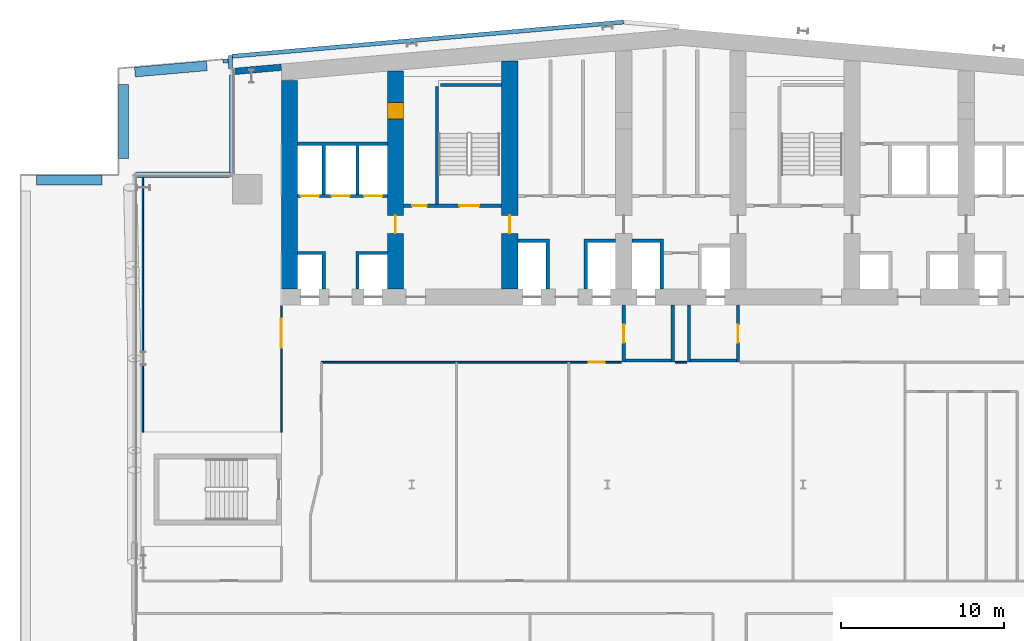
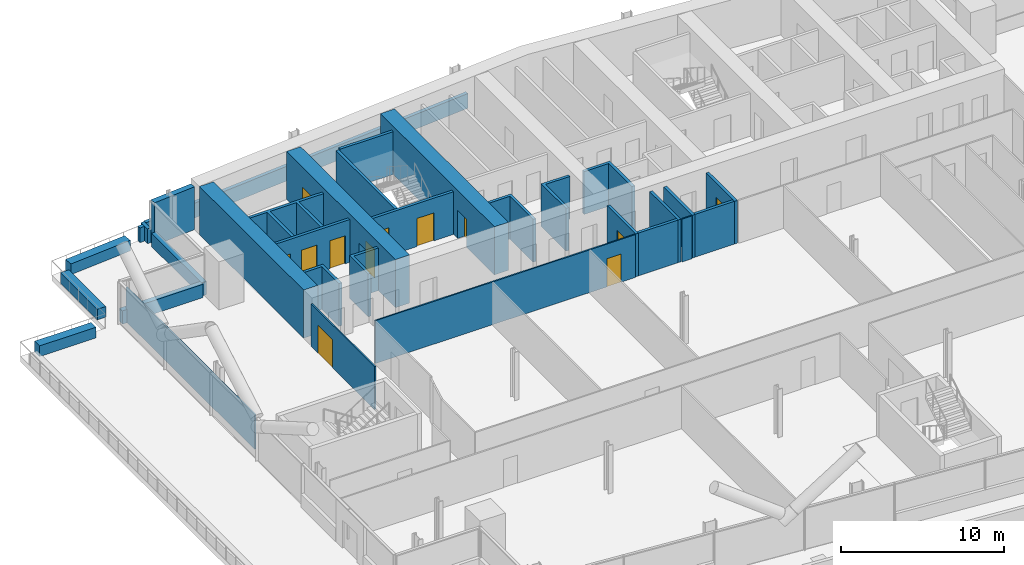
# One storey, part 14 of 26: 32 walls, 12 doors, 12 openings.
"""IFC4 building model written with IfcOpenShell, lengths in metres."""

from ifc_helpers import new_model, si_unit, direction, frame, frame_2d, origin, place, context, subcontext, project, spatial, polyline, rectangle, outline, extrude, material, layer, layer_set, type_object, element, fill, save


model = new_model("IFC4")

# Units and contexts
model_context = context("Model", 3, precision=1e-05, world=origin(), true_north=direction((0.0, 1.0)))
body_context = subcontext(model_context, "Body", "Model", "MODEL_VIEW")
ifc_project = project(units=[si_unit("LENGTHUNIT", "METRE"), si_unit("AREAUNIT", "SQUARE_METRE"), si_unit("VOLUMEUNIT", "CUBIC_METRE"), si_unit("PLANEANGLEUNIT", "RADIAN"), si_unit("MASSUNIT", "GRAM", prefix="KILO")], contexts=[model_context])

# Site, building, storey
site_placement = place(None, origin())
site = spatial("IfcSite", under=ifc_project, at=site_placement, CompositionType="ELEMENT")
building_placement = place(site_placement, origin())
building = spatial("IfcBuilding", under=site, at=building_placement, Name="Wharfspan Tower", CompositionType="ELEMENT")
storey_placement = place(building_placement, frame((0.0, 0.0, 96.699951)))
storey = spatial("IfcBuildingStorey", under=building, at=storey_placement, Name="L21", CompositionType="ELEMENT", Elevation=96.699951)

# Wall, opening, door
ifc_material_1 = material(Name="Gypsum board on steel studs", Category="steel")
ifc_layer_1 = layer(ifc_material_1, 0.100098)
ifc_layer_set_1 = layer_set([ifc_layer_1], Name="Gypsum board on steel studs")
wall_type_1 = type_object("IfcWallType", Name="Compartment wall 100 EI 60", PredefinedType="PARTITIONING", material=ifc_layer_set_1)
wall_1_placement = place(storey_placement, frame((16.0, 26.219971, 0.0), z_axis=(0.0, 0.0, 1.0), x_axis=(0.0, 1.0, 0.0)))
wall_1 = element("IfcWall", 1, at=wall_1_placement, inside=storey, type_object=wall_type_1, Name="Partition L21.w006", PredefinedType="PARTITIONING", context=body_context, shape_type="SweptSolid", body=[
    extrude(rectangle(XDim=7.76001, YDim=0.100098, at=frame_2d((3.879883, 0.0))), origin(), (0.0, 0.0, 1.0), 3.199951),
])
opening_1_placement = place(wall_1_placement, frame((5.159912, 0.0, 0.0)))
opening_1 = element("IfcOpeningElement", 2, at=opening_1_placement, cuts=wall_1, Name="Opening B1-18", PredefinedType="OPENING", context=body_context, shape_type="SweptSolid", body=[
    extrude(rectangle(XDim=1.800049, YDim=2.100098, at=frame_2d((0.899902, 1.050049))), frame((0.0, 0.060059, 0.0), z_axis=(0.0, -1.0, 0.0), x_axis=(1.0, 0.0, 0.0)), (0.0, 0.0, 1.0), 0.120117),
])
ifc_material_2 = material(Name="Fire-rated timber door leaf in steel frame", Category="steel")
door_type_1 = type_object("IfcDoorType", Name="Door 1800 FD30S Double", OperationType="DOUBLE_DOOR_SINGLE_SWING", PredefinedType="DOOR", material=ifc_material_2)
door_1_placement = place(opening_1_placement, origin())
door_1 = element("IfcDoor", 3, at=door_1_placement, inside=storey, type_object=door_type_1, Name="Door B1-18", OperationType="DOUBLE_DOOR_SINGLE_SWING", OverallHeight=2.100098, OverallWidth=1.800049, PredefinedType="DOOR", context=body_context, shape_type="SweptSolid", body=[
    extrude(rectangle(XDim=1.800049, YDim=2.100098, at=frame_2d((0.899902, 1.050049))), frame((0.0, 0.024902, 0.0), z_axis=(0.0, -1.0, 0.0), x_axis=(1.0, 0.0, 0.0)), (0.0, 0.0, 1.0), 0.050049),
])
fill(opening_1, door_1)

wall_2_placement = place(storey_placement, frame((18.455078, 30.5, 0.0), z_axis=(0.0, 0.0, 1.0), x_axis=(1.0, 0.0, 0.0)))
wall_2 = element("IfcWall", 4, at=wall_2_placement, inside=storey, type_object=wall_type_1, Name="Partition L21.w013", PredefinedType="PARTITIONING", context=body_context, shape_type="SweptSolid", body=[
    extrude(rectangle(XDim=18.39502, YDim=0.100098, at=frame_2d((9.19751, 0.0))), origin(), (0.0, 0.0, 1.0), 3.199951),
])
opening_2_placement = place(wall_2_placement, frame((16.389893, 0.0, 0.0)))
opening_2 = element("IfcOpeningElement", 5, at=opening_2_placement, cuts=wall_2, Name="Opening B1-15", PredefinedType="OPENING", context=body_context, shape_type="SweptSolid", body=[
    extrude(rectangle(XDim=1.0, YDim=2.100098, at=frame_2d((0.5, 1.050049))), frame((0.0, 0.060059, 0.0), z_axis=(0.0, -1.0, 0.0), x_axis=(1.0, 0.0, 0.0)), (0.0, 0.0, 1.0), 0.120117),
])
door_type_2 = type_object("IfcDoorType", Name="Door 1000 FD30S Left", OperationType="SINGLE_SWING_LEFT", PredefinedType="DOOR", material=ifc_material_2)
door_2_placement = place(opening_2_placement, origin())
door_2 = element("IfcDoor", 6, at=door_2_placement, inside=storey, type_object=door_type_2, Name="Door B1-15", OperationType="SINGLE_SWING_LEFT", OverallHeight=2.100098, OverallWidth=1.0, PredefinedType="DOOR", context=body_context, shape_type="SweptSolid", body=[
    extrude(rectangle(XDim=1.0, YDim=2.100098, at=frame_2d((0.5, 1.050049))), frame((0.0, 0.024902, 0.0), z_axis=(0.0, -1.0, 0.0), x_axis=(1.0, 0.0, 0.0)), (0.0, 0.0, 1.0), 0.050049),
])
fill(opening_2, door_2)

# Walls
wall_3_placement = place(storey_placement, frame((40.149902, 30.5, 0.0), z_axis=(0.0, 0.0, 1.0), x_axis=(1.0, 0.0, 0.0)))
element("IfcWall", 7, at=wall_3_placement, inside=storey, type_object=wall_type_1, Name="Partition L21.w013 (2)", PredefinedType="PARTITIONING", context=body_context, shape_type="SweptSolid", body=[
    extrude(rectangle(XDim=0.700195, YDim=0.100098, at=frame_2d((0.350098, 0.0))), origin(), (0.0, 0.0, 1.0), 3.199951),
])
ifc_material_3 = material(Name="Concrete C70/85", Category="concrete")
ifc_layer_2 = layer(ifc_material_3, 1.0)
ifc_layer_set_2 = layer_set([ifc_layer_2], Name="Concrete C70/85")
wall_type_2 = type_object("IfcWallType", Name="Core wall 1000 C70/85", PredefinedType="SHEAR", material=ifc_layer_set_2)
wall_4_placement = place(storey_placement, frame((16.5, 35.0, 0.0), z_axis=(0.0, 0.0, 1.0), x_axis=(0.0, 1.0, 0.0)))
element("IfcWall", 8, at=wall_4_placement, inside=storey, type_object=wall_type_2, Name="Core cross wall EW0 L21", PredefinedType="SHEAR", context=body_context, shape_type="SweptSolid", body=[
    extrude(rectangle(XDim=12.783691, YDim=1.0, at=frame_2d((6.391846, 0.0))), origin(), (0.0, 0.0, 1.0), 3.600098),
])

# Wall, openings, doors
wall_5_placement = place(storey_placement, frame((23.0, 35.0, 0.0), z_axis=(0.0, 0.0, 1.0), x_axis=(0.0, 1.0, 0.0)))
wall_5 = element("IfcWall", 9, at=wall_5_placement, inside=storey, type_object=wall_type_2, Name="Core cross wall X2 L21", PredefinedType="SHEAR", context=body_context, shape_type="SweptSolid", body=[
    extrude(rectangle(XDim=13.352295, YDim=1.0, at=frame_2d((6.67627, 0.0))), origin(), (0.0, 0.0, 1.0), 3.600098),
])
opening_3_placement = place(wall_5_placement, frame((10.425537, 0.0, 0.0)))
opening_3 = element("IfcOpeningElement", 10, at=opening_3_placement, cuts=wall_5, Name="Opening CD21.1X", PredefinedType="OPENING", context=body_context, shape_type="SweptSolid", body=[
    extrude(rectangle(XDim=1.0, YDim=2.100098, at=frame_2d((0.5, 1.050049))), frame((0.0, 0.51001, 0.0), z_axis=(0.0, -1.0, 0.0), x_axis=(1.0, 0.0, 0.0)), (0.0, 0.0, 1.0), 1.02002),
])
opening_4_placement = place(wall_5_placement, frame((3.399902, 0.0, 0.0)))
opening_4 = element("IfcOpeningElement", 11, at=opening_4_placement, cuts=wall_5, Name="Opening CC21.2", PredefinedType="OPENING", context=body_context, shape_type="SweptSolid", body=[
    extrude(rectangle(XDim=1.100098, YDim=2.100098, at=frame_2d((0.550049, 1.050049))), frame((0.0, 0.51001, 0.0), z_axis=(0.0, -1.0, 0.0), x_axis=(1.0, 0.0, 0.0)), (0.0, 0.0, 1.0), 1.02002),
])
ifc_material_4 = material(Name="Steel door leaf", Category="steel")
door_type_3 = type_object("IfcDoorType", Name="Core corridor door 1100x2100", OperationType="SINGLE_SWING_LEFT", PredefinedType="DOOR", material=ifc_material_4)
door_3_placement = place(opening_4_placement, origin())
door_3 = element("IfcDoor", 12, at=door_3_placement, inside=storey, type_object=door_type_3, Name="xd:L21:2", OperationType="SINGLE_SWING_RIGHT", OverallHeight=2.100098, OverallWidth=1.100098, PredefinedType="DOOR", context=body_context, shape_type="SweptSolid", body=[
    extrude(rectangle(XDim=1.100098, YDim=2.100098, at=frame_2d((0.550049, 1.050049))), frame((0.0, 0.024902, 0.0), z_axis=(0.0, -1.0, 0.0), x_axis=(1.0, 0.0, 0.0)), (0.0, 0.0, 1.0), 0.050049),
])
fill(opening_4, door_3)
door_type_4 = type_object("IfcDoorType", Name="Core room door 1000x2100", OperationType="SINGLE_SWING_LEFT", PredefinedType="DOOR", material=ifc_material_4)
door_4_placement = place(opening_3_placement, origin())
door_4 = element("IfcDoor", 13, at=door_4_placement, inside=storey, type_object=door_type_4, Name="d:L21:1:sx", OperationType="SINGLE_SWING_LEFT", OverallHeight=2.100098, OverallWidth=1.0, PredefinedType="DOOR", context=body_context, shape_type="SweptSolid", body=[
    extrude(rectangle(XDim=1.0, YDim=2.100098, at=frame_2d((0.5, 1.050049))), frame((0.0, 0.499756, 0.0), z_axis=(0.0, -1.0, 0.0), x_axis=(1.0, 0.0, 0.0)), (0.0, 0.0, 1.0), 0.999512),
])
fill(opening_3, door_4)

# Wall, opening, door
wall_6_placement = place(storey_placement, frame((30.0, 35.0, 0.0), z_axis=(0.0, 0.0, 1.0), x_axis=(0.0, 1.0, 0.0)))
wall_6 = element("IfcWall", 14, at=wall_6_placement, inside=storey, type_object=wall_type_2, Name="Core cross wall X3 L21", PredefinedType="SHEAR", context=body_context, shape_type="SweptSolid", body=[
    extrude(rectangle(XDim=13.9646, YDim=1.0, at=frame_2d((6.982422, 0.0))), origin(), (0.0, 0.0, 1.0), 3.600098),
])
opening_5_placement = place(wall_6_placement, frame((3.399902, 0.0, 0.0)))
opening_5 = element("IfcOpeningElement", 15, at=opening_5_placement, cuts=wall_6, Name="Opening CC21.3", PredefinedType="OPENING", context=body_context, shape_type="SweptSolid", body=[
    extrude(rectangle(XDim=1.100098, YDim=2.100098, at=frame_2d((0.550049, 1.050049))), frame((0.0, 0.51001, 0.0), z_axis=(0.0, -1.0, 0.0), x_axis=(1.0, 0.0, 0.0)), (0.0, 0.0, 1.0), 1.02002),
])
door_5_placement = place(opening_5_placement, origin())
door_5 = element("IfcDoor", 16, at=door_5_placement, inside=storey, type_object=door_type_3, Name="xd:L21:3", OperationType="SINGLE_SWING_LEFT", OverallHeight=2.100098, OverallWidth=1.100098, PredefinedType="DOOR", context=body_context, shape_type="SweptSolid", body=[
    extrude(rectangle(XDim=1.100098, YDim=2.100098, at=frame_2d((0.550049, 1.050049))), frame((0.0, 0.024902, 0.0), z_axis=(0.0, -1.0, 0.0), x_axis=(1.0, 0.0, 0.0)), (0.0, 0.0, 1.0), 0.050049),
])
fill(opening_5, door_5)

# Wall, openings, doors
ifc_material_5 = material(Name="Concrete C30/37", Category="concrete")
ifc_layer_3 = layer(ifc_material_5, 0.199951)
ifc_layer_set_3 = layer_set([ifc_layer_3], Name="Concrete C30/37")
wall_type_3 = type_object("IfcWallType", Name="Lift shaft wall 200", PredefinedType="PARTITIONING", material=ifc_layer_set_3)
wall_7_placement = place(storey_placement, frame((17.0, 40.699951, 0.0), z_axis=(0.0, 0.0, 1.0), x_axis=(1.0, 0.0, 0.0)))
wall_7 = element("IfcWall", 17, at=wall_7_placement, inside=storey, type_object=wall_type_3, Name="sw:L21:RF1", PredefinedType="PARTITIONING", context=body_context, shape_type="SweptSolid", body=[
    extrude(rectangle(XDim=5.5, YDim=0.199951, at=frame_2d((2.75, 0.0))), origin(), (0.0, 0.0, 1.0), 3.199951),
])
opening_6_placement = place(wall_7_placement, frame((0.199951, 0.0, 0.0)))
opening_6 = element("IfcOpeningElement", 18, at=opening_6_placement, cuts=wall_7, Name="Opening LD.LA3.L21", PredefinedType="OPENING", context=body_context, shape_type="SweptSolid", body=[
    extrude(rectangle(XDim=1.100098, YDim=2.100098, at=frame_2d((0.550049, 1.050049))), frame((0.0, 0.109863, 0.0), z_axis=(0.0, -1.0, 0.0), x_axis=(1.0, 0.0, 0.0)), (0.0, 0.0, 1.0), 0.219971),
])
opening_7_placement = place(wall_7_placement, frame((2.083252, 0.0, 0.0)))
opening_7 = element("IfcOpeningElement", 19, at=opening_7_placement, cuts=wall_7, Name="Opening LD.LA4.L21", PredefinedType="OPENING", context=body_context, shape_type="SweptSolid", body=[
    extrude(rectangle(XDim=1.100098, YDim=2.100098, at=frame_2d((0.550049, 1.050049))), frame((0.0, 0.109863, 0.0), z_axis=(0.0, -1.0, 0.0), x_axis=(1.0, 0.0, 0.0)), (0.0, 0.0, 1.0), 0.219971),
])
opening_8_placement = place(wall_7_placement, frame((4.083252, 0.0, 0.0)))
opening_8 = element("IfcOpeningElement", 20, at=opening_8_placement, cuts=wall_7, Name="Opening LD.LA5.L21", PredefinedType="OPENING", context=body_context, shape_type="SweptSolid", body=[
    extrude(rectangle(XDim=1.100098, YDim=2.100098, at=frame_2d((0.550049, 1.050049))), frame((0.0, 0.109863, 0.0), z_axis=(0.0, -1.0, 0.0), x_axis=(1.0, 0.0, 0.0)), (0.0, 0.0, 1.0), 0.219971),
])
ifc_material_6 = material(Name="Stainless steel", Category="steel")
door_type_5 = type_object("IfcDoorType", Name="Lift landing door 1100x2100", OperationType="DOUBLE_DOOR_SLIDING", PredefinedType="DOOR", material=ifc_material_6)
door_6_placement = place(opening_6_placement, origin())
door_6 = element("IfcDoor", 21, at=door_6_placement, inside=storey, type_object=door_type_5, Name="Landing door LA3 L21", OperationType="DOUBLE_DOOR_SLIDING", OverallHeight=2.100098, OverallWidth=1.100098, PredefinedType="DOOR", context=body_context, shape_type="SweptSolid", body=[
    extrude(rectangle(XDim=1.100098, YDim=2.100098, at=frame_2d((0.550049, 1.050049))), frame((0.0, 0.024902, 0.0), z_axis=(0.0, -1.0, 0.0), x_axis=(1.0, 0.0, 0.0)), (0.0, 0.0, 1.0), 0.050049),
])
fill(opening_6, door_6)
door_7_placement = place(opening_7_placement, origin())
door_7 = element("IfcDoor", 22, at=door_7_placement, inside=storey, type_object=door_type_5, Name="Landing door LA4 L21", OperationType="DOUBLE_DOOR_SLIDING", OverallHeight=2.100098, OverallWidth=1.100098, PredefinedType="DOOR", context=body_context, shape_type="SweptSolid", body=[
    extrude(rectangle(XDim=1.100098, YDim=2.100098, at=frame_2d((0.550049, 1.050049))), frame((0.0, 0.024902, 0.0), z_axis=(0.0, -1.0, 0.0), x_axis=(1.0, 0.0, 0.0)), (0.0, 0.0, 1.0), 0.050049),
])
fill(opening_7, door_7)
door_8_placement = place(opening_8_placement, origin())
door_8 = element("IfcDoor", 23, at=door_8_placement, inside=storey, type_object=door_type_5, Name="Landing door LA5 L21", OperationType="DOUBLE_DOOR_SLIDING", OverallHeight=2.100098, OverallWidth=1.100098, PredefinedType="DOOR", context=body_context, shape_type="SweptSolid", body=[
    extrude(rectangle(XDim=1.100098, YDim=2.100098, at=frame_2d((0.550049, 1.050049))), frame((0.0, 0.024902, 0.0), z_axis=(0.0, -1.0, 0.0), x_axis=(1.0, 0.0, 0.0)), (0.0, 0.0, 1.0), 0.050049),
])
fill(opening_8, door_8)

# Walls
wall_8_placement = place(storey_placement, frame((0.0, 0.0, -0.000244)))
element("IfcWall", 24, at=wall_8_placement, inside=storey, type_object=wall_type_3, Name="sw:L21:FM1.0", PredefinedType="PARTITIONING", context=body_context, shape_type="SweptSolid", body=[
    extrude(outline(polyline([(18.5, 37.100098), (17.0, 37.100098), (17.0, 37.300049), (18.5, 37.300049), (18.699951, 37.300049), (18.699951, 35.0), (18.5, 35.0), (18.5, 37.100098)])), origin(), (0.0, 0.0, 1.0), 3.200195),
])
wall_9_placement = place(storey_placement, frame((0.0, 0.0, -0.000244)))
element("IfcWall", 25, at=wall_9_placement, inside=storey, type_object=wall_type_3, Name="sw:L21:FM1.1", PredefinedType="PARTITIONING", context=body_context, shape_type="SweptSolid", body=[
    extrude(outline(polyline([(20.56665, 37.300049), (20.766602, 37.300049), (22.5, 37.300049), (22.5, 37.100098), (20.766602, 37.100098), (20.766602, 35.0), (20.56665, 35.0), (20.56665, 37.300049)])), origin(), (0.0, 0.0, 1.0), 3.200195),
])
wall_10_placement = place(storey_placement, frame((0.0, 0.0, -0.000244)))
element("IfcWall", 26, at=wall_10_placement, inside=storey, type_object=wall_type_3, Name="sw:L21:RM1.0", PredefinedType="PARTITIONING", context=body_context, shape_type="SweptSolid", body=[
    extrude(outline(polyline([(18.699951, 40.800049), (18.5, 40.800049), (18.5, 43.800049), (17.0, 43.800049), (17.0, 44.0), (22.5, 44.0), (22.5, 43.800049), (20.766602, 43.800049), (20.766602, 40.800049), (20.56665, 40.800049), (20.56665, 43.800049), (18.699951, 43.800049), (18.699951, 40.800049)])), origin(), (0.0, 0.0, 1.0), 3.200195),
])
wall_11_placement = place(storey_placement, frame((0.0, 0.0, -0.000244)))
element("IfcWall", 27, at=wall_11_placement, inside=storey, type_object=wall_type_3, Name="sw:L21:FM3.0", PredefinedType="PARTITIONING", context=body_context, shape_type="SweptSolid", body=[
    extrude(outline(polyline([(32.233398, 37.850098), (30.5, 37.850098), (30.5, 38.050049), (32.233398, 38.050049), (32.43335, 38.050049), (32.43335, 35.0), (32.233398, 35.0), (32.233398, 37.850098)])), origin(), (0.0, 0.0, 1.0), 3.200195),
])
wall_12_placement = place(storey_placement, frame((0.0, 0.0, -0.000244)))
element("IfcWall", 28, at=wall_12_placement, inside=storey, type_object=wall_type_3, Name="sw:L21:FM3.1", PredefinedType="PARTITIONING", context=body_context, shape_type="SweptSolid", body=[
    extrude(outline(polyline([(34.56665, 38.050049), (34.766602, 38.050049), (36.5, 38.050049), (36.5, 37.850098), (34.766602, 37.850098), (34.766602, 35.0), (34.56665, 35.0), (34.56665, 38.050049)])), origin(), (0.0, 0.0, 1.0), 3.200195),
])
wall_13_placement = place(storey_placement, frame((0.0, 0.0, -0.000244)))
element("IfcWall", 29, at=wall_13_placement, inside=storey, type_object=wall_type_3, Name="sw:L21:FM4.1", PredefinedType="PARTITIONING", context=body_context, shape_type="SweptSolid", body=[
    extrude(outline(polyline([(39.233398, 37.850098), (37.5, 37.850098), (37.5, 38.050049), (39.233398, 38.050049), (39.43335, 38.050049), (39.43335, 35.0), (39.233398, 35.0), (39.233398, 37.850098)])), origin(), (0.0, 0.0, 1.0), 3.200195),
])

# Wall, opening, door
ifc_layer_4 = layer(ifc_material_5, 0.199951)
ifc_layer_set_4 = layer_set([ifc_layer_4], Name="Concrete C30/37")
wall_type_4 = type_object("IfcWallType", Name="Lobby wall 200", PredefinedType="PARTITIONING", material=ifc_layer_set_4)
wall_14_placement = place(storey_placement, frame((37.0, 30.5, 0.0), z_axis=(0.0, 0.0, 1.0), x_axis=(0.0, 1.0, 0.0)))
wall_14 = element("IfcWall", 30, at=wall_14_placement, inside=storey, type_object=wall_type_4, Name="sw:L21:FLFF1W", PredefinedType="PARTITIONING", context=body_context, shape_type="SweptSolid", body=[
    extrude(rectangle(XDim=3.5, YDim=0.199951, at=frame_2d((1.75, 0.0))), origin(), (0.0, 0.0, 1.0), 3.199951),
])
opening_9_placement = place(wall_14_placement, frame((1.199951, 0.0, 0.0)))
opening_9 = element("IfcOpeningElement", 31, at=opening_9_placement, cuts=wall_14, Name="Opening FL.FF1.L21", PredefinedType="OPENING", context=body_context, shape_type="SweptSolid", body=[
    extrude(rectangle(XDim=1.100098, YDim=2.100098, at=frame_2d((0.550049, 1.050049))), frame((0.0, 0.109863, 0.0), z_axis=(0.0, -1.0, 0.0), x_axis=(1.0, 0.0, 0.0)), (0.0, 0.0, 1.0), 0.219971),
])
door_type_6 = type_object("IfcDoorType", Name="Firefighting lobby door 1100x2100", OperationType="SINGLE_SWING_LEFT", PredefinedType="DOOR", material=ifc_material_4)
door_9_placement = place(opening_9_placement, origin())
door_9 = element("IfcDoor", 32, at=door_9_placement, inside=storey, type_object=door_type_6, Name="fd:L21:FF1", OperationType="SINGLE_SWING_LEFT", OverallHeight=2.100098, OverallWidth=1.100098, PredefinedType="DOOR", context=body_context, shape_type="SweptSolid", body=[
    extrude(rectangle(XDim=1.100098, YDim=2.100098, at=frame_2d((0.550049, 1.050049))), frame((0.0, 0.024902, 0.0), z_axis=(0.0, -1.0, 0.0), x_axis=(1.0, 0.0, 0.0)), (0.0, 0.0, 1.0), 0.050049),
])
fill(opening_9, door_9)

# Walls
wall_15_placement = place(storey_placement, frame((40.0, 30.5, 0.0), z_axis=(0.0, 0.0, 1.0), x_axis=(0.0, 1.0, 0.0)))
element("IfcWall", 33, at=wall_15_placement, inside=storey, type_object=wall_type_4, Name="sw:L21:FLFF1E", PredefinedType="PARTITIONING", context=body_context, shape_type="SweptSolid", body=[
    extrude(rectangle(XDim=3.5, YDim=0.199951, at=frame_2d((1.75, 0.0))), origin(), (0.0, 0.0, 1.0), 3.199951),
])
wall_16_placement = place(storey_placement, frame((37.100098, 30.600098, 0.0), z_axis=(0.0, 0.0, 1.0), x_axis=(1.0, 0.0, 0.0)))
element("IfcWall", 34, at=wall_16_placement, inside=storey, type_object=wall_type_4, Name="sw:L21:FLFF1F", PredefinedType="PARTITIONING", context=body_context, shape_type="SweptSolid", body=[
    extrude(rectangle(XDim=2.799805, YDim=0.199951, at=frame_2d((1.399902, 0.0))), origin(), (0.0, 0.0, 1.0), 3.199951),
])
wall_17_placement = place(storey_placement, frame((41.0, 30.5, 0.0), z_axis=(0.0, 0.0, 1.0), x_axis=(0.0, 1.0, 0.0)))
element("IfcWall", 35, at=wall_17_placement, inside=storey, type_object=wall_type_4, Name="sw:L21:FLFF2W", PredefinedType="PARTITIONING", context=body_context, shape_type="SweptSolid", body=[
    extrude(rectangle(XDim=3.5, YDim=0.199951, at=frame_2d((1.75, 0.0))), origin(), (0.0, 0.0, 1.0), 3.199951),
])

# Wall, opening, door
wall_18_placement = place(storey_placement, frame((44.0, 30.5, 0.0), z_axis=(0.0, 0.0, 1.0), x_axis=(0.0, 1.0, 0.0)))
wall_18 = element("IfcWall", 36, at=wall_18_placement, inside=storey, type_object=wall_type_4, Name="sw:L21:FLFF2E", PredefinedType="PARTITIONING", context=body_context, shape_type="SweptSolid", body=[
    extrude(rectangle(XDim=3.5, YDim=0.199951, at=frame_2d((1.75, 0.0))), origin(), (0.0, 0.0, 1.0), 3.199951),
])
opening_10_placement = place(wall_18_placement, frame((1.199951, 0.0, 0.0)))
opening_10 = element("IfcOpeningElement", 37, at=opening_10_placement, cuts=wall_18, Name="Opening FL.FF2.L21", PredefinedType="OPENING", context=body_context, shape_type="SweptSolid", body=[
    extrude(rectangle(XDim=1.100098, YDim=2.100098, at=frame_2d((0.550049, 1.050049))), frame((0.0, 0.109863, 0.0), z_axis=(0.0, -1.0, 0.0), x_axis=(1.0, 0.0, 0.0)), (0.0, 0.0, 1.0), 0.219971),
])
door_10_placement = place(opening_10_placement, origin())
door_10 = element("IfcDoor", 38, at=door_10_placement, inside=storey, type_object=door_type_6, Name="fd:L21:FF2", OperationType="SINGLE_SWING_LEFT", OverallHeight=2.100098, OverallWidth=1.100098, PredefinedType="DOOR", context=body_context, shape_type="SweptSolid", body=[
    extrude(rectangle(XDim=1.100098, YDim=2.100098, at=frame_2d((0.550049, 1.050049))), frame((0.0, 0.024902, 0.0), z_axis=(0.0, -1.0, 0.0), x_axis=(1.0, 0.0, 0.0)), (0.0, 0.0, 1.0), 0.050049),
])
fill(opening_10, door_10)

# Walls
wall_19_placement = place(storey_placement, frame((41.100098, 30.600098, 0.0), z_axis=(0.0, 0.0, 1.0), x_axis=(1.0, 0.0, 0.0)))
element("IfcWall", 39, at=wall_19_placement, inside=storey, type_object=wall_type_4, Name="sw:L21:FLFF2F", PredefinedType="PARTITIONING", context=body_context, shape_type="SweptSolid", body=[
    extrude(rectangle(XDim=2.799805, YDim=0.199951, at=frame_2d((1.399902, 0.0))), origin(), (0.0, 0.0, 1.0), 3.199951),
])
ifc_material_7 = material(Name="Concrete C40/50", Category="concrete")
ifc_layer_5 = layer(ifc_material_7, 0.25)
ifc_layer_set_5 = layer_set([ifc_layer_5], Name="Concrete C40/50")
wall_type_5 = type_object("IfcWallType", Name="PARAPET CONCRETE 250", PredefinedType="PARAPET", material=ifc_layer_set_5)
wall_20_placement = place(storey_placement, frame((12.999512, 49.262695, 0.0), z_axis=(0.0, 0.0, 1.0), x_axis=(0.996193, 0.087159, 0.0)))
element("IfcWall", 40, at=wall_20_placement, inside=storey, type_object=wall_type_5, Name="Ledge parapet", PredefinedType="PARAPET", context=body_context, shape_type="SweptSolid", body=[
    extrude(rectangle(XDim=24.092285, YDim=0.25, at=frame_2d((12.046143, 0.0))), origin(), (0.0, 0.0, 1.0), 1.100098),
])
wall_21_placement = place(storey_placement, frame((12.875, 48.524902, 0.0), z_axis=(0.0, 0.0, 1.0), x_axis=(0.0, 1.0, 0.0)))
element("IfcWall", 41, at=wall_21_placement, inside=storey, type_object=wall_type_5, Name="Ledge parapet", PredefinedType="PARAPET", context=body_context, shape_type="SweptSolid", body=[
    extrude(rectangle(XDim=0.781982, YDim=0.25, at=frame_2d((0.391113, 0.0))), origin(), (0.0, 0.0, 1.0), 1.100098),
])
wall_22_placement = place(storey_placement, frame((12.741943, 48.989258, 0.0), z_axis=(0.0, 0.0, 1.0), x_axis=(-0.996186, -0.087268, 0.0)))
element("IfcWall", 42, at=wall_22_placement, inside=storey, type_object=wall_type_5, Name="Ledge parapet", PredefinedType="PARAPET", context=body_context, shape_type="SweptSolid", body=[
    extrude(rectangle(XDim=0.330078, YDim=0.25, at=frame_2d((0.165039, 0.0))), origin(), (0.0, 0.0, 1.0), 1.100098),
])
ifc_layer_6 = layer(ifc_material_7, 0.600098)
ifc_layer_set_6 = layer_set([ifc_layer_6], Name="Concrete C40/50")
wall_type_6 = type_object("IfcWallType", Name="PLANTER CONCRETE 600", PredefinedType="SOLIDWALL", material=ifc_layer_set_6)
wall_23_placement = place(storey_placement, frame((1.0, 41.679932, 0.0), z_axis=(0.0, 0.0, 1.0), x_axis=(1.0, 0.0, 0.0)))
element("IfcWall", 43, at=wall_23_placement, inside=storey, type_object=wall_type_6, Name="Planter", PredefinedType="SOLIDWALL", context=body_context, shape_type="SweptSolid", body=[
    extrude(rectangle(XDim=4.0, YDim=0.600098, at=frame_2d((2.0, 0.0))), origin(), (0.0, 0.0, 1.0), 0.800049),
])
wall_24_placement = place(storey_placement, frame((6.320068, 43.0, 0.0), z_axis=(0.0, 0.0, 1.0), x_axis=(0.0, 1.0, 0.0)))
element("IfcWall", 44, at=wall_24_placement, inside=storey, type_object=wall_type_6, Name="Planter", PredefinedType="SOLIDWALL", context=body_context, shape_type="SweptSolid", body=[
    extrude(rectangle(XDim=4.524902, YDim=0.600098, at=frame_2d((2.262451, 0.0))), origin(), (0.0, 0.0, 1.0), 0.800049),
])
wall_25_placement = place(storey_placement, frame((7.02417, 48.293213, 0.0), z_axis=(0.0, 0.0, 1.0), x_axis=(0.996195, 0.087194, 0.0)))
element("IfcWall", 45, at=wall_25_placement, inside=storey, type_object=wall_type_6, Name="Planter", PredefinedType="SOLIDWALL", context=body_context, shape_type="SweptSolid", body=[
    extrude(rectangle(XDim=4.426758, YDim=0.600098, at=frame_2d((2.213379, 0.0))), origin(), (0.0, 0.0, 1.0), 0.800049),
])
ifc_layer_7 = layer(ifc_material_1, 0.100098)
ifc_layer_set_7 = layer_set([ifc_layer_7], Name="Gypsum board on steel studs")
wall_type_7 = type_object("IfcWallType", Name="Partition 100", PredefinedType="PARTITIONING", material=ifc_layer_set_7)
wall_26_placement = place(storey_placement, frame((7.51001, 26.219971, 0.0), z_axis=(0.0, 0.0, 1.0), x_axis=(0.0, 1.0, 0.0)))
element("IfcWall", 46, at=wall_26_placement, inside=storey, type_object=wall_type_7, Name="Partition L21.w004", PredefinedType="PARTITIONING", context=body_context, shape_type="SweptSolid", body=[
    extrude(rectangle(XDim=15.76001, YDim=0.100098, at=frame_2d((7.879883, 0.0))), origin(), (0.0, 0.0, 1.0), 2.580078),
])
ifc_layer_8 = layer(ifc_material_7, 0.350098)
ifc_layer_set_8 = layer_set([ifc_layer_8], Name="Concrete C40/50")
wall_type_8 = type_object("IfcWallType", Name="SPANDREL EXPOSED CONCRETE 350", PredefinedType="SOLIDWALL", material=ifc_layer_set_8)
wall_27_placement = place(storey_placement, frame((12.995117, 48.126465, 0.0), z_axis=(0.0, 0.0, 1.0), x_axis=(0.0, -1.0, 0.0)))
element("IfcWall", 47, at=wall_27_placement, inside=storey, type_object=wall_type_8, Name="Spandrel upstand L21 NRW-V", PredefinedType="SOLIDWALL", context=body_context, shape_type="SweptSolid", body=[
    extrude(rectangle(XDim=6.126465, YDim=0.350098, at=frame_2d((3.063232, 0.0))), origin(), (0.0, 0.0, 1.0), 1.0),
])
wall_28_placement = place(storey_placement, frame((12.820068, 42.004883, 0.0), z_axis=(0.0, 0.0, 1.0), x_axis=(-1.0, 0.0, 0.0)))
element("IfcWall", 48, at=wall_28_placement, inside=storey, type_object=wall_type_8, Name="Spandrel upstand L21 NRW-H", PredefinedType="SOLIDWALL", context=body_context, shape_type="SweptSolid", body=[
    extrude(rectangle(XDim=5.699951, YDim=0.350098, at=frame_2d((2.850098, 0.0))), origin(), (0.0, 0.0, 1.0), 1.0),
])

# Wall, openings, doors
ifc_layer_9 = layer(ifc_material_7, 0.199951)
ifc_layer_set_9 = layer_set([ifc_layer_9], Name="Concrete C40/50")
wall_type_9 = type_object("IfcWallType", Name="Stair shaft wall 200", PredefinedType="SHEAR", material=ifc_layer_set_9)
wall_29_placement = place(storey_placement, frame((23.5, 40.100098, 0.0), z_axis=(0.0, 0.0, 1.0), x_axis=(1.0, 0.0, 0.0)))
wall_29 = element("IfcWall", 49, at=wall_29_placement, inside=storey, type_object=wall_type_9, Name="ST1 stair enclosure wall L21", PredefinedType="SHEAR", context=body_context, shape_type="SweptSolid", body=[
    extrude(rectangle(XDim=6.0, YDim=0.199951, at=frame_2d((3.0, 0.0))), origin(), (0.0, 0.0, 1.0), 3.199951),
])
opening_11_placement = place(wall_29_placement, frame((3.425049, 0.0, 0.0)))
opening_11 = element("IfcOpeningElement", 50, at=opening_11_placement, cuts=wall_29, Name="Opening SD2.L21", PredefinedType="OPENING", context=body_context, shape_type="SweptSolid", body=[
    extrude(rectangle(XDim=1.199951, YDim=2.100098, at=frame_2d((0.600098, 1.050049))), frame((0.0, 0.109863, 0.0), z_axis=(0.0, -1.0, 0.0), x_axis=(1.0, 0.0, 0.0)), (0.0, 0.0, 1.0), 0.219971),
])
opening_12_placement = place(wall_29_placement, frame((0.524902, 0.0, 0.0)))
opening_12 = element("IfcOpeningElement", 51, at=opening_12_placement, cuts=wall_29, Name="Opening CD21.2R", PredefinedType="OPENING", context=body_context, shape_type="SweptSolid", body=[
    extrude(rectangle(XDim=0.899902, YDim=2.100098, at=frame_2d((0.449951, 1.050049))), frame((0.0, 0.109863, 0.0), z_axis=(0.0, -1.0, 0.0), x_axis=(1.0, 0.0, 0.0)), (0.0, 0.0, 1.0), 0.219971),
])
door_11_placement = place(opening_12_placement, origin())
door_11 = element("IfcDoor", 52, at=door_11_placement, inside=storey, type_object=door_type_4, Name="rk:L21:2", OperationType="SINGLE_SWING_LEFT", OverallHeight=2.100098, OverallWidth=0.899902, PredefinedType="DOOR", context=body_context, shape_type="SweptSolid", body=[
    extrude(rectangle(XDim=0.899902, YDim=2.100098, at=frame_2d((0.449951, 1.050049))), frame((0.0, 0.024902, 0.0), z_axis=(0.0, -1.0, 0.0), x_axis=(1.0, 0.0, 0.0)), (0.0, 0.0, 1.0), 0.050049),
])
fill(opening_12, door_11)
door_type_7 = type_object("IfcDoorType", Name="Stair door 1200x2100", OperationType="SINGLE_SWING_LEFT", PredefinedType="DOOR", material=ifc_material_4)
door_12_placement = place(opening_11_placement, origin())
door_12 = element("IfcDoor", 53, at=door_12_placement, inside=storey, type_object=door_type_7, Name="sd:L21:2", OperationType="SINGLE_SWING_RIGHT", OverallHeight=2.100098, OverallWidth=1.199951, PredefinedType="DOOR", context=body_context, shape_type="SweptSolid", body=[
    extrude(rectangle(XDim=1.199951, YDim=2.100098, at=frame_2d((0.600098, 1.050049))), frame((0.0, 0.024902, 0.0), z_axis=(0.0, -1.0, 0.0), x_axis=(1.0, 0.0, 0.0)), (0.0, 0.0, 1.0), 0.050049),
])
fill(opening_11, door_12)

# Walls
wall_30_placement = place(storey_placement, frame((25.550049, 40.199951, 0.0), z_axis=(0.0, 0.0, 1.0), x_axis=(0.0, 1.0, 0.0)))
element("IfcWall", 54, at=wall_30_placement, inside=storey, type_object=wall_type_9, Name="ST1 stair enclosure wall L21", PredefinedType="SHEAR", context=body_context, shape_type="SweptSolid", body=[
    extrude(rectangle(XDim=7.199951, YDim=0.199951, at=frame_2d((3.600098, 0.0))), origin(), (0.0, 0.0, 1.0), 3.199951),
])
wall_31_placement = place(storey_placement, frame((25.75, 47.5, 0.0), z_axis=(0.0, 0.0, 1.0), x_axis=(1.0, 0.0, 0.0)))
element("IfcWall", 55, at=wall_31_placement, inside=storey, type_object=wall_type_9, Name="ST1 stair enclosure wall L21", PredefinedType="SHEAR", context=body_context, shape_type="SweptSolid", body=[
    extrude(rectangle(XDim=3.75, YDim=0.199951, at=frame_2d((1.875, 0.0))), origin(), (0.0, 0.0, 1.0), 3.199951),
])
ifc_layer_10 = layer(ifc_material_7, 0.399902)
ifc_layer_set_10 = layer_set([ifc_layer_10], Name="Concrete C40/50")
wall_type_10 = type_object("IfcWallType", Name="WALL EXPOSED CONCRETE 400", PredefinedType="SOLIDWALL", material=ifc_layer_set_10)
wall_32_placement = place(storey_placement, frame((16.0, 48.58667, 0.0), z_axis=(0.0, 0.0, 1.0), x_axis=(-0.996194, -0.087168, 0.0)))
element("IfcWall", 56, at=wall_32_placement, inside=storey, type_object=wall_type_10, Name="Rear wall N1", PredefinedType="SOLIDWALL", context=body_context, shape_type="SweptSolid", body=[
    extrude(rectangle(XDim=2.994141, YDim=0.399902, at=frame_2d((1.49707, 0.0))), origin(), (0.0, 0.0, 1.0), 3.199951),
])

save(model, "model.ifc")
